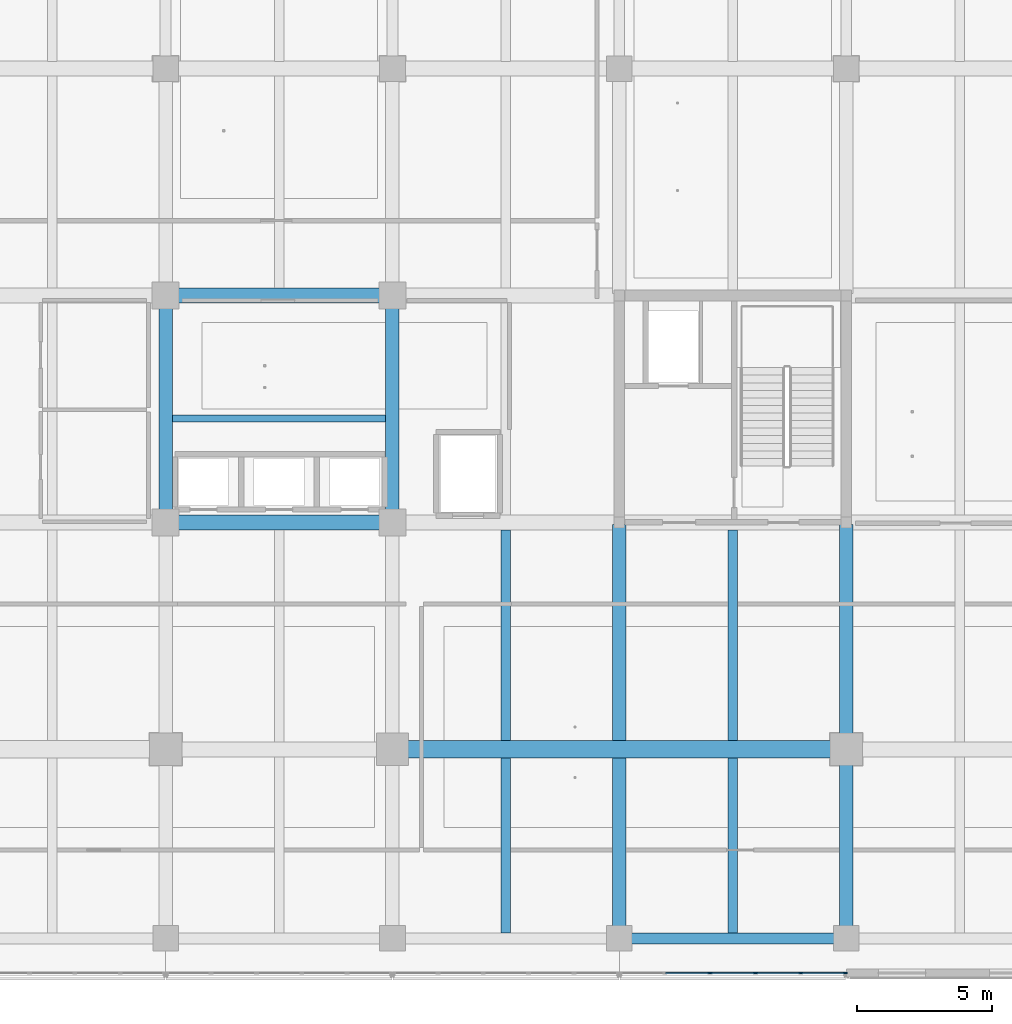
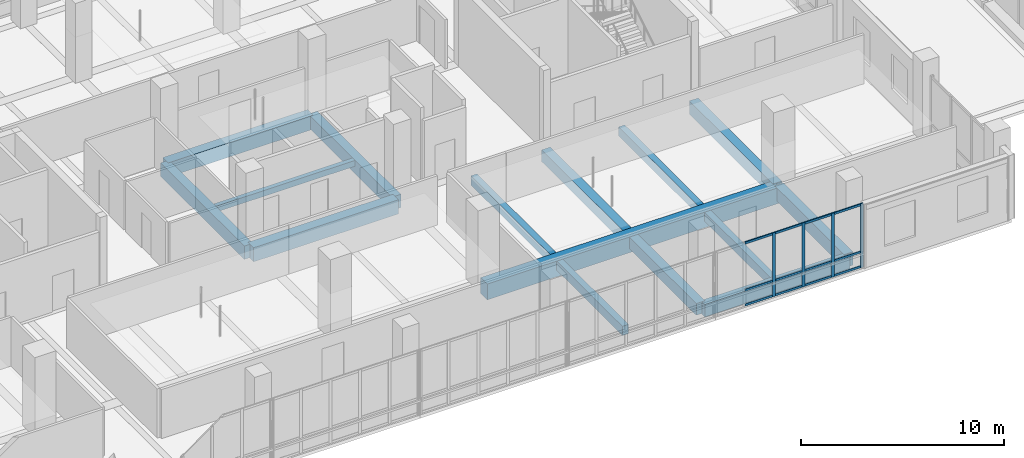
# One storey, part 20 of 128: 16 members, 15 beams, 1 element without a shape of its own.
"""IFC4 building model written with IfcOpenShell, lengths in metres."""

from ifc_helpers import new_model, si_unit, direction, frame, origin, origin_2d, place, context, subcontext, project, spatial, rectangle, extrude, material, layer, layer_set, material_profile, profile_set, type_object, element, aggregate, save


model = new_model("IFC4")

# Units and contexts
model_context = context("Model", 3, precision=1e-05, world=origin(), true_north=direction((0.0, 1.0)))
body_context = subcontext(model_context, "Body", "Model", "MODEL_VIEW")
ifc_project = project(units=[si_unit("LENGTHUNIT", "METRE"), si_unit("AREAUNIT", "SQUARE_METRE"), si_unit("VOLUMEUNIT", "CUBIC_METRE"), si_unit("PLANEANGLEUNIT", "RADIAN"), si_unit("MASSUNIT", "GRAM", prefix="KILO")], contexts=[model_context])

# Site, building, storey
site_placement = place(None, origin())
site = spatial("IfcSite", under=ifc_project, at=site_placement, CompositionType="ELEMENT")
building_placement = place(site_placement, origin())
building = spatial("IfcBuilding", under=site, at=building_placement, Name="Telukmera Botanical Conservatory", CompositionType="ELEMENT")
storey_placement = place(building_placement, frame((0.0, 0.0, 5.39990234375)))
storey = spatial("IfcBuildingStorey", under=building, at=storey_placement, Name="L01", CompositionType="ELEMENT", Elevation=5.39990234375)

# Beams
ifc_material_1 = material(Name="Concrete C40/50", Category="concrete")
ifc_material_profile_1 = material_profile(ifc_material_1, rectangle(XDim=0.5, YDim=0.699951171875, at=origin_2d()), Name="RC 500x700")
ifc_profile_set_1 = profile_set([ifc_material_profile_1], Name="Concrete C40/50")
beam_type_1 = type_object("IfcBeamType", Name="Beam_B14", PredefinedType="BEAM", material=ifc_profile_set_1)
beam_1_placement = place(storey_placement, frame((92.39990234375, 10.679931640625, -0.349853515625), z_axis=(0.0, 1.0, 0.0), x_axis=(-1.0, 0.0, 0.0)))
element("IfcBeam", 1, at=beam_1_placement, inside=storey, type_object=beam_type_1, Name="Tower Hall Secondary Girder L01", PredefinedType="BEAM", context=body_context, shape_type="SweptSolid", body=[
    extrude(rectangle(XDim=0.5, YDim=0.699951171875, at=origin_2d()), origin(), (0.0, 0.0, 1.0), 6.594970703125),
])
beam_2_placement = place(storey_placement, frame((92.39990234375, 17.925048828125, -0.349853515625), z_axis=(0.0, 1.0, 0.0), x_axis=(-1.0, 0.0, 0.0)))
element("IfcBeam", 2, at=beam_2_placement, inside=storey, type_object=beam_type_1, Name="Tower Hall Secondary Girder L01", PredefinedType="BEAM", context=body_context, shape_type="SweptSolid", body=[
    extrude(rectangle(XDim=0.5, YDim=0.699951171875, at=origin_2d()), origin(), (0.0, 0.0, 1.0), 7.994873046875),
])
ifc_material_profile_2 = material_profile(ifc_material_1, rectangle(XDim=0.64990234375, YDim=0.949951171875, at=origin_2d()), Name="RC 650x950")
ifc_profile_set_2 = profile_set([ifc_material_profile_2], Name="Concrete C40/50")
beam_type_2 = type_object("IfcBeamType", Name="Beam_B2", PredefinedType="BEAM", material=ifc_profile_set_2)
beam_3_placement = place(storey_placement, frame((84.080078125, 17.60009765625, -0.474853515625), z_axis=(1.0, 0.0, 0.0), x_axis=(0.0, 1.0, 0.0)))
element("IfcBeam", 3, at=beam_3_placement, inside=storey, type_object=beam_type_2, Name="Tower Grid Beam L01", PredefinedType="BEAM", context=body_context, shape_type="SweptSolid", body=[
    extrude(rectangle(XDim=0.64990234375, YDim=0.949951171875, at=origin_2d()), origin(), (0.0, 0.0, 1.0), 16.639892578125),
])
ifc_material_profile_3 = material_profile(ifc_material_1, rectangle(XDim=0.35009765625, YDim=0.550048828125, at=origin_2d()), Name="RC 350x550")
ifc_profile_set_3 = profile_set([ifc_material_profile_3], Name="Concrete C40/50")
beam_type_3 = type_object("IfcBeamType", Name="Beam_B21", PredefinedType="JOIST", material=ifc_profile_set_3)
beam_4_placement = place(storey_placement, frame((88.199951171875, 10.800048828125, -0.27490234375), z_axis=(0.0, 1.0, 0.0), x_axis=(-1.0, 0.0, 0.0)))
element("IfcBeam", 4, at=beam_4_placement, inside=storey, type_object=beam_type_3, Name="Tower Secondary Floor Joist L01", PredefinedType="JOIST", context=body_context, shape_type="SweptSolid", body=[
    extrude(rectangle(XDim=0.35009765625, YDim=0.550048828125, at=origin_2d()), origin(), (0.0, 0.0, 1.0), 6.474853515625),
])
beam_5_placement = place(storey_placement, frame((88.199951171875, 17.925048828125, -0.27490234375), z_axis=(0.0, 1.0, 0.0), x_axis=(-1.0, 0.0, 0.0)))
element("IfcBeam", 5, at=beam_5_placement, inside=storey, type_object=beam_type_3, Name="Tower Secondary Floor Joist L01", PredefinedType="JOIST", context=body_context, shape_type="SweptSolid", body=[
    extrude(rectangle(XDim=0.35009765625, YDim=0.550048828125, at=origin_2d()), origin(), (0.0, 0.0, 1.0), 7.800048828125),
])
beam_6_placement = place(storey_placement, frame((96.60009765625, 10.800048828125, -0.27490234375), z_axis=(0.0, 1.0, 0.0), x_axis=(-1.0, 0.0, 0.0)))
element("IfcBeam", 6, at=beam_6_placement, inside=storey, type_object=beam_type_3, Name="Tower Secondary Floor Joist L01", PredefinedType="JOIST", context=body_context, shape_type="SweptSolid", body=[
    extrude(rectangle(XDim=0.35009765625, YDim=0.550048828125, at=origin_2d()), origin(), (0.0, 0.0, 1.0), 6.474853515625),
])
beam_7_placement = place(storey_placement, frame((96.60009765625, 17.925048828125, -0.27490234375), z_axis=(0.0, 1.0, 0.0), x_axis=(-1.0, 0.0, 0.0)))
element("IfcBeam", 7, at=beam_7_placement, inside=storey, type_object=beam_type_3, Name="Tower Secondary Floor Joist L01", PredefinedType="JOIST", context=body_context, shape_type="SweptSolid", body=[
    extrude(rectangle(XDim=0.35009765625, YDim=0.550048828125, at=origin_2d()), origin(), (0.0, 0.0, 1.0), 7.800048828125),
])
ifc_material_profile_4 = material_profile(ifc_material_1, rectangle(XDim=0.550048828125, YDim=0.85009765625, at=origin_2d()), Name="RC 550x850")
ifc_profile_set_4 = profile_set([ifc_material_profile_4], Name="Concrete C40/50")
beam_type_4 = type_object("IfcBeamType", Name="Beam_B4", PredefinedType="BEAM", material=ifc_profile_set_4)
for number, where, z_axis, x_axis, name in (
    (8, (75.679931640625, 26.0, -0.4248046875), (1.0, 0.0, 0.0), (0.0, 1.0, 0.0), "Tower Grid Beam L01"),
    (9, (75.679931640625, 34.39990234375, -0.4248046875), (1.0, 0.0, 0.0), (0.0, 1.0, 0.0), "Tower Grid Beam L01"),
):
    element("IfcBeam", number, at=place(storey_placement, frame(where, z_axis=z_axis, x_axis=x_axis)), inside=storey, type_object=beam_type_4, Name=name, PredefinedType="BEAM", context=body_context, shape_type="SweptSolid", body=[
        extrude(rectangle(XDim=0.550048828125, YDim=0.85009765625, at=origin_2d()), origin(), (0.0, 0.0, 1.0), 8.239990234375),
    ])
ifc_material_profile_5 = material_profile(ifc_material_1, rectangle(XDim=0.5, YDim=0.800048828125, at=origin_2d()), Name="RC 500x800")
ifc_profile_set_5 = profile_set([ifc_material_profile_5], Name="Concrete C40/50")
beam_type_5 = type_object("IfcBeamType", Name="Beam_B5", PredefinedType="BEAM", material=ifc_profile_set_5)
for number, where, z_axis, x_axis, name in (
    (10, (75.60009765625, 26.080078125, -0.39990234375), (0.0, 1.0, 0.0), (-1.0, 0.0, 0.0), "Tower Transverse Beam L01"),
    (11, (84.0, 26.080078125, -0.39990234375), (0.0, 1.0, 0.0), (-1.0, 0.0, 0.0), "Tower Transverse Beam L01"),
):
    element("IfcBeam", number, at=place(storey_placement, frame(where, z_axis=z_axis, x_axis=x_axis)), inside=storey, type_object=beam_type_5, Name=name, PredefinedType="BEAM", context=body_context, shape_type="SweptSolid", body=[
        extrude(rectangle(XDim=0.5, YDim=0.800048828125, at=origin_2d()), origin(), (0.0, 0.0, 1.0), 8.239990234375),
    ])
beam_8_placement = place(storey_placement, frame((100.800048828125, 10.679931640625, -0.39990234375), z_axis=(0.0, 1.0, 0.0), x_axis=(-1.0, 0.0, 0.0)))
element("IfcBeam", 12, at=beam_8_placement, inside=storey, type_object=beam_type_5, Name="Tower Transverse Beam L01", PredefinedType="BEAM", context=body_context, shape_type="SweptSolid", body=[
    extrude(rectangle(XDim=0.5, YDim=0.800048828125, at=origin_2d()), origin(), (0.0, 0.0, 1.0), 6.840087890625),
])
beam_9_placement = place(storey_placement, frame((100.800048828125, 17.679931640625, -0.39990234375), z_axis=(0.0, 1.0, 0.0), x_axis=(-1.0, 0.0, 0.0)))
element("IfcBeam", 13, at=beam_9_placement, inside=storey, type_object=beam_type_5, Name="Tower Transverse Beam L01", PredefinedType="BEAM", context=body_context, shape_type="SweptSolid", body=[
    extrude(rectangle(XDim=0.5, YDim=0.800048828125, at=origin_2d()), origin(), (0.0, 0.0, 1.0), 8.239990234375),
])
ifc_material_2 = material(Name="Precast concrete C40/50", Category="concrete")
ifc_material_profile_6 = material_profile(ifc_material_2, rectangle(XDim=0.25, YDim=0.35009765625, at=origin_2d()), Name="PC 250x350")
ifc_profile_set_6 = profile_set([ifc_material_profile_6], Name="Precast concrete C40/50")
beam_type_6 = type_object("IfcBeamType", Name="Beam_LN2", PredefinedType="LINTEL", material=ifc_profile_set_6)
beam_10_placement = place(storey_placement, frame((75.85009765625, 29.85009765625, -0.1748046875), z_axis=(1.0, 0.0, 0.0), x_axis=(0.0, 1.0, 0.0)))
element("IfcBeam", 14, at=beam_10_placement, inside=storey, type_object=beam_type_6, Name="Tower Lift Bank Header Lintel L01", PredefinedType="LINTEL", context=body_context, shape_type="SweptSolid", body=[
    extrude(rectangle(XDim=0.25, YDim=0.35009765625, at=origin_2d()), origin(), (0.0, 0.0, 1.0), 7.89990234375),
])
ifc_material_profile_7 = material_profile(ifc_material_2, rectangle(XDim=0.39990234375, YDim=0.75, at=origin_2d()), Name="PC 400x750")
ifc_profile_set_7 = profile_set([ifc_material_profile_7], Name="Precast concrete C40/50")
beam_type_7 = type_object("IfcBeamType", Name="Beam_SP1", PredefinedType="SPANDREL", material=ifc_profile_set_7)
beam_11_placement = place(storey_placement, frame((92.47998046875, 10.60009765625, -0.375), z_axis=(1.0, 0.0, 0.0), x_axis=(0.0, 1.0, 0.0)))
element("IfcBeam", 15, at=beam_11_placement, inside=storey, type_object=beam_type_7, Name="Tower Grid Beam L01", PredefinedType="SPANDREL", context=body_context, shape_type="SweptSolid", body=[
    extrude(rectangle(XDim=0.39990234375, YDim=0.75, at=origin_2d()), origin(), (0.0, 0.0, 1.0), 8.239990234375),
])

# Curtain wall, members
ifc_material_3 = material(Name="Anodised aluminium 6063-T6", Category="aluminium")
ifc_layer = layer(ifc_material_3, 0.179931640625)
ifc_layer_set = layer_set([ifc_layer], Name="Anodised aluminium 6063-T6")
curtain_wall_type = type_object("IfcCurtainWallType", Name="Tower Reference Library Curtain Wall", PredefinedType="USERDEFINED", material=ifc_layer_set)
curtain_wall_placement = place(storey_placement, origin())
curtain_wall = element("IfcCurtainWall", 16, at=curtain_wall_placement, inside=storey, type_object=curtain_wall_type, Name="Unitised Curtain Wall CW13 V4:L01:S6", ObjectType="UNITISED CURTAIN WALL", PredefinedType="USERDEFINED")
ifc_material_profile_8 = material_profile(ifc_material_3, rectangle(XDim=0.06494140625, YDim=0.159912109375, at=origin_2d()), Name="ALU MULL 65x160")
ifc_profile_set_8 = profile_set([ifc_material_profile_8], Name="Anodised aluminium 6063-T6")
member_type_1 = type_object("IfcMemberType", Name="Curtain Wall Extruded Mullion 65x160", PredefinedType="MULLION", material=ifc_profile_set_8)
member_1_placement = place(storey_placement, frame((95.760498046875, 9.320068359375, 0.0), z_axis=(0.0, 0.0, 1.0), x_axis=(0.0, 1.0, 0.0)))
member_1 = element("IfcMember", 17, at=member_1_placement, type_object=member_type_1, Name="CW13 mullion 3", PredefinedType="MULLION", context=body_context, shape_type="SweptSolid", body=[
    extrude(rectangle(XDim=0.06494140625, YDim=0.159912109375, at=origin_2d()), origin(), (0.0, 0.0, 1.0), 3.85009765625),
])
member_2_placement = place(storey_placement, frame((97.439697265625, 9.320068359375, 0.0), z_axis=(0.0, 0.0, 1.0), x_axis=(0.0, 1.0, 0.0)))
member_2 = element("IfcMember", 18, at=member_2_placement, type_object=member_type_1, Name="CW13 mullion 4", PredefinedType="MULLION", context=body_context, shape_type="SweptSolid", body=[
    extrude(rectangle(XDim=0.06494140625, YDim=0.159912109375, at=origin_2d()), origin(), (0.0, 0.0, 1.0), 3.85009765625),
])
member_3_placement = place(storey_placement, frame((99.118896484375, 9.320068359375, 0.0), z_axis=(0.0, 0.0, 1.0), x_axis=(0.0, 1.0, 0.0)))
member_3 = element("IfcMember", 19, at=member_3_placement, type_object=member_type_1, Name="CW13 mullion 5", PredefinedType="MULLION", context=body_context, shape_type="SweptSolid", body=[
    extrude(rectangle(XDim=0.06494140625, YDim=0.159912109375, at=origin_2d()), origin(), (0.0, 0.0, 1.0), 3.85009765625),
])
member_4_placement = place(storey_placement, frame((100.765380859375, 9.320068359375, 0.0), z_axis=(0.0, 0.0, 1.0), x_axis=(0.0, 1.0, 0.0)))
member_4 = element("IfcMember", 20, at=member_4_placement, type_object=member_type_1, Name="CW13 mullion 6", PredefinedType="MULLION", context=body_context, shape_type="SweptSolid", body=[
    extrude(rectangle(XDim=0.06494140625, YDim=0.159912109375, at=origin_2d()), origin(), (0.0, 0.0, 1.0), 3.85009765625),
])
ifc_material_profile_9 = material_profile(ifc_material_3, rectangle(XDim=0.06494140625, YDim=0.1298828125, at=origin_2d()), Name="ALU TRAN 65x130")
ifc_profile_set_9 = profile_set([ifc_material_profile_9], Name="Anodised aluminium 6063-T6")
member_type_2 = type_object("IfcMemberType", Name="Curtain Wall Extruded Transom 65x130", PredefinedType="USERDEFINED", material=ifc_profile_set_9)
member_5_placement = place(storey_placement, frame((94.11376953125, 9.320068359375, 0.065185546875), z_axis=(1.0, 0.0, 0.0), x_axis=(0.0, 1.0, 0.0)))
member_5 = element("IfcMember", 21, at=member_5_placement, type_object=member_type_2, Name="CW13 transom 2.1", ObjectType="TRANSOM", PredefinedType="USERDEFINED", context=body_context, shape_type="SweptSolid", body=[
    extrude(rectangle(XDim=0.06494140625, YDim=0.1298828125, at=origin_2d()), origin(), (0.0, 0.0, 1.0), 1.614013671875),
])
member_6_placement = place(storey_placement, frame((94.11376953125, 9.320068359375, 0.9501953125), z_axis=(1.0, 0.0, 0.0), x_axis=(0.0, 1.0, 0.0)))
member_6 = element("IfcMember", 22, at=member_6_placement, type_object=member_type_2, Name="CW13 transom 2.2", ObjectType="TRANSOM", PredefinedType="USERDEFINED", context=body_context, shape_type="SweptSolid", body=[
    extrude(rectangle(XDim=0.06494140625, YDim=0.1298828125, at=origin_2d()), origin(), (0.0, 0.0, 1.0), 1.614013671875),
])
member_7_placement = place(storey_placement, frame((94.11376953125, 9.320068359375, 3.78515625), z_axis=(1.0, 0.0, 0.0), x_axis=(0.0, 1.0, 0.0)))
member_7 = element("IfcMember", 23, at=member_7_placement, type_object=member_type_2, Name="CW13 transom 2.3", ObjectType="TRANSOM", PredefinedType="USERDEFINED", context=body_context, shape_type="SweptSolid", body=[
    extrude(rectangle(XDim=0.06494140625, YDim=0.1298828125, at=origin_2d()), origin(), (0.0, 0.0, 1.0), 1.614013671875),
])
member_8_placement = place(storey_placement, frame((95.79296875, 9.320068359375, 0.065185546875), z_axis=(1.0, 0.0, 0.0), x_axis=(0.0, 1.0, 0.0)))
member_8 = element("IfcMember", 24, at=member_8_placement, type_object=member_type_2, Name="CW13 transom 3.1", ObjectType="TRANSOM", PredefinedType="USERDEFINED", context=body_context, shape_type="SweptSolid", body=[
    extrude(rectangle(XDim=0.06494140625, YDim=0.1298828125, at=origin_2d()), origin(), (0.0, 0.0, 1.0), 1.614013671875),
])
member_9_placement = place(storey_placement, frame((95.79296875, 9.320068359375, 0.9501953125), z_axis=(1.0, 0.0, 0.0), x_axis=(0.0, 1.0, 0.0)))
member_9 = element("IfcMember", 25, at=member_9_placement, type_object=member_type_2, Name="CW13 transom 3.2", ObjectType="TRANSOM", PredefinedType="USERDEFINED", context=body_context, shape_type="SweptSolid", body=[
    extrude(rectangle(XDim=0.06494140625, YDim=0.1298828125, at=origin_2d()), origin(), (0.0, 0.0, 1.0), 1.614013671875),
])
member_10_placement = place(storey_placement, frame((95.79296875, 9.320068359375, 3.78515625), z_axis=(1.0, 0.0, 0.0), x_axis=(0.0, 1.0, 0.0)))
member_10 = element("IfcMember", 26, at=member_10_placement, type_object=member_type_2, Name="CW13 transom 3.3", ObjectType="TRANSOM", PredefinedType="USERDEFINED", context=body_context, shape_type="SweptSolid", body=[
    extrude(rectangle(XDim=0.06494140625, YDim=0.1298828125, at=origin_2d()), origin(), (0.0, 0.0, 1.0), 1.614013671875),
])
member_11_placement = place(storey_placement, frame((97.47216796875, 9.320068359375, 0.065185546875), z_axis=(1.0, 0.0, 0.0), x_axis=(0.0, 1.0, 0.0)))
member_11 = element("IfcMember", 27, at=member_11_placement, type_object=member_type_2, Name="CW13 transom 4.1", ObjectType="TRANSOM", PredefinedType="USERDEFINED", context=body_context, shape_type="SweptSolid", body=[
    extrude(rectangle(XDim=0.06494140625, YDim=0.1298828125, at=origin_2d()), origin(), (0.0, 0.0, 1.0), 1.614013671875),
])
member_12_placement = place(storey_placement, frame((97.47216796875, 9.320068359375, 0.9501953125), z_axis=(1.0, 0.0, 0.0), x_axis=(0.0, 1.0, 0.0)))
member_12 = element("IfcMember", 28, at=member_12_placement, type_object=member_type_2, Name="CW13 transom 4.2", ObjectType="TRANSOM", PredefinedType="USERDEFINED", context=body_context, shape_type="SweptSolid", body=[
    extrude(rectangle(XDim=0.06494140625, YDim=0.1298828125, at=origin_2d()), origin(), (0.0, 0.0, 1.0), 1.614013671875),
])
member_13_placement = place(storey_placement, frame((97.47216796875, 9.320068359375, 3.78515625), z_axis=(1.0, 0.0, 0.0), x_axis=(0.0, 1.0, 0.0)))
member_13 = element("IfcMember", 29, at=member_13_placement, type_object=member_type_2, Name="CW13 transom 4.3", ObjectType="TRANSOM", PredefinedType="USERDEFINED", context=body_context, shape_type="SweptSolid", body=[
    extrude(rectangle(XDim=0.06494140625, YDim=0.1298828125, at=origin_2d()), origin(), (0.0, 0.0, 1.0), 1.614013671875),
])
member_14_placement = place(storey_placement, frame((99.1513671875, 9.320068359375, 0.065185546875), z_axis=(1.0, 0.0, 0.0), x_axis=(0.0, 1.0, 0.0)))
member_14 = element("IfcMember", 30, at=member_14_placement, type_object=member_type_2, Name="CW13 transom 5.1", ObjectType="TRANSOM", PredefinedType="USERDEFINED", context=body_context, shape_type="SweptSolid", body=[
    extrude(rectangle(XDim=0.06494140625, YDim=0.1298828125, at=origin_2d()), origin(), (0.0, 0.0, 1.0), 1.58154296875),
])
member_15_placement = place(storey_placement, frame((99.1513671875, 9.320068359375, 0.9501953125), z_axis=(1.0, 0.0, 0.0), x_axis=(0.0, 1.0, 0.0)))
member_15 = element("IfcMember", 31, at=member_15_placement, type_object=member_type_2, Name="CW13 transom 5.2", ObjectType="TRANSOM", PredefinedType="USERDEFINED", context=body_context, shape_type="SweptSolid", body=[
    extrude(rectangle(XDim=0.06494140625, YDim=0.1298828125, at=origin_2d()), origin(), (0.0, 0.0, 1.0), 1.58154296875),
])
member_16_placement = place(storey_placement, frame((99.1513671875, 9.320068359375, 3.78515625), z_axis=(1.0, 0.0, 0.0), x_axis=(0.0, 1.0, 0.0)))
member_16 = element("IfcMember", 32, at=member_16_placement, type_object=member_type_2, Name="CW13 transom 5.3", ObjectType="TRANSOM", PredefinedType="USERDEFINED", context=body_context, shape_type="SweptSolid", body=[
    extrude(rectangle(XDim=0.06494140625, YDim=0.1298828125, at=origin_2d()), origin(), (0.0, 0.0, 1.0), 1.58154296875),
])
aggregate(curtain_wall, [member_1, member_2, member_3, member_4, member_5, member_6, member_7, member_8, member_9, member_10, member_11, member_12, member_13, member_14, member_15, member_16])

save(model, "model.ifc")
